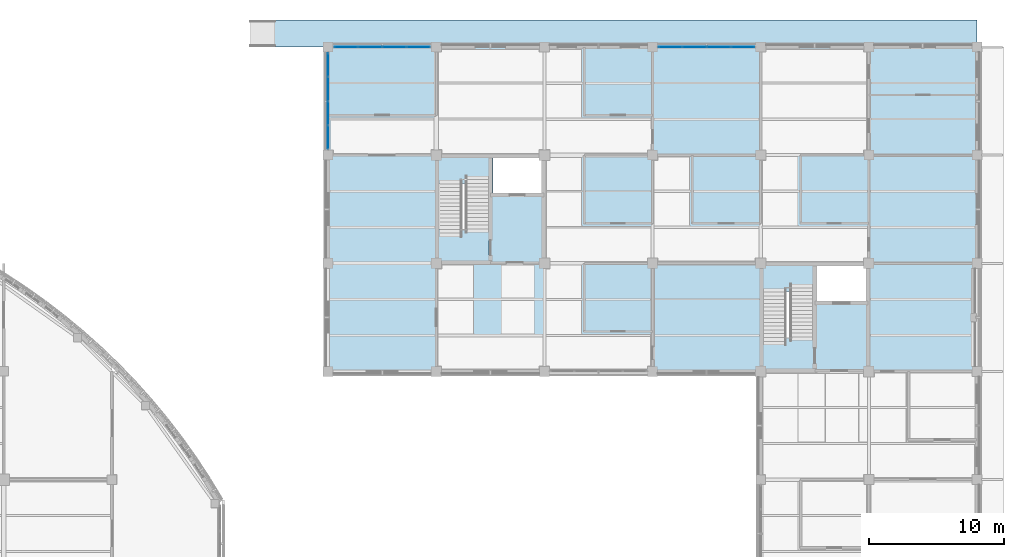
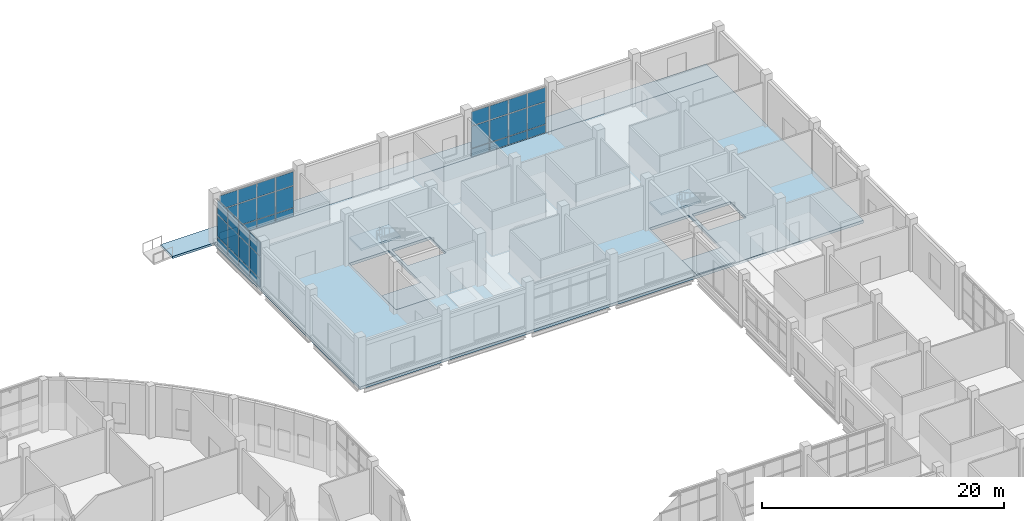
# One storey, part 57 of 105: 36 plates, 6 slabs, 5 elements without a shape of their own.
"""IFC4 building model written with IfcOpenShell, lengths in metres."""

from ifc_helpers import new_model, si_unit, derived_unit, direction, frame, origin, origin_2d, place, context, subcontext, project, spatial, polyline, rectangle, outline, extrude, material, layer, layer_set, type_object, element, aggregate, save


model = new_model("IFC4")

# Units and contexts
model_context = context("Model", 3, precision=1e-05, world=origin(), true_north=direction((0.0, 1.0)))
body_context = subcontext(model_context, "Body", "Model", "MODEL_VIEW")
ifc_project = project(units=[si_unit("LENGTHUNIT", "METRE"), si_unit("AREAUNIT", "SQUARE_METRE"), si_unit("VOLUMEUNIT", "CUBIC_METRE"), si_unit("PLANEANGLEUNIT", "RADIAN"), si_unit("MASSUNIT", "GRAM", prefix="KILO"), derived_unit("THERMALTRANSMITTANCEUNIT", [(si_unit("MASSUNIT", "GRAM", prefix="KILO"), 1), (si_unit("TIMEUNIT", "SECOND"), -3), (si_unit("THERMODYNAMICTEMPERATUREUNIT", "KELVIN"), -1)])], contexts=[model_context])

# Site, building, storey
site_placement = place(None, origin())
site = spatial("IfcSite", under=ifc_project, at=site_placement, CompositionType="ELEMENT")
building_placement = place(site_placement, origin())
building = spatial("IfcBuilding", under=site, at=building_placement, Name="Veyamyaing Civic Hall", CompositionType="ELEMENT")
storey_placement = place(building_placement, origin())
storey = spatial("IfcBuildingStorey", under=building, at=storey_placement, Name="L00", CompositionType="ELEMENT", Elevation=0.0)

# Curtain wall, plates
ifc_material_1 = material(Name="Anodised aluminium 6063-T6", Category="aluminium")
ifc_layer_1 = layer(ifc_material_1, 0.159912109375, Name="Anodised aluminium 6063-T6")
ifc_layer_set_1 = layer_set([ifc_layer_1], Name="Anodised aluminium 6063-T6")
curtain_wall_type = type_object("IfcCurtainWallType", Name="CW-01", PredefinedType="NOTDEFINED", material=ifc_layer_set_1)
curtain_wall_1_placement = place(storey_placement, origin())
curtain_wall_1 = element("IfcCurtainWall", 1, at=curtain_wall_1_placement, inside=storey, type_object=curtain_wall_type, Name="Unitized curtain wall CW-01 L00 N 17.14", PredefinedType="NOTDEFINED")
ifc_material_2 = material(Name="Low-E insulated glass", Category="glass")
ifc_layer_2 = layer(ifc_material_2, 0.028076171875, Name="Low-E insulated glass")
ifc_layer_set_2 = layer_set([ifc_layer_2], Name="Low-E insulated glass")
plate_type_1 = type_object("IfcPlateType", Name="CWP-01", PredefinedType="CURTAIN_PANEL", material=ifc_layer_set_2)
plate_1_placement = place(storey_placement, frame((129.320068359375, 112.0, 0.06494140625), z_axis=(0.0, 0.0, 1.0), x_axis=(1.0, 0.0, 0.0)))
plate_1 = element("IfcPlate", 2, at=plate_1_placement, type_object=plate_type_1, Name="CW-01 panel 1.1", PredefinedType="CURTAIN_PANEL", context=body_context, shape_type="SweptSolid", body=[
    extrude(rectangle(XDim=1.699951171875, YDim=0.028076171875, at=origin_2d()), origin(), (0.0, 0.0, 1.0), 0.802490234375),
])
plate_2_placement = place(storey_placement, frame((129.320068359375, 112.0, 0.9326171875), z_axis=(0.0, 0.0, 1.0), x_axis=(1.0, 0.0, 0.0)))
plate_2 = element("IfcPlate", 3, at=plate_2_placement, type_object=plate_type_1, Name="CW-01 panel 1.2", PredefinedType="CURTAIN_PANEL", context=body_context, shape_type="SweptSolid", body=[
    extrude(rectangle(XDim=1.699951171875, YDim=0.028076171875, at=origin_2d()), origin(), (0.0, 0.0, 1.0), 2.172607421875),
])
plate_3_placement = place(storey_placement, frame((129.320068359375, 112.0, 3.170166015625), z_axis=(0.0, 0.0, 1.0), x_axis=(1.0, 0.0, 0.0)))
plate_3 = element("IfcPlate", 4, at=plate_3_placement, type_object=plate_type_1, Name="CW-01 panel 1.3", PredefinedType="CURTAIN_PANEL", context=body_context, shape_type="SweptSolid", body=[
    extrude(rectangle(XDim=1.699951171875, YDim=0.028076171875, at=origin_2d()), origin(), (0.0, 0.0, 1.0), 1.37890625),
])
plate_4_placement = place(storey_placement, frame((131.101318359375, 112.0, 0.06494140625), z_axis=(0.0, 0.0, 1.0), x_axis=(1.0, 0.0, 0.0)))
plate_4 = element("IfcPlate", 5, at=plate_4_placement, type_object=plate_type_1, Name="CW-01 panel 2.1", PredefinedType="CURTAIN_PANEL", context=body_context, shape_type="SweptSolid", body=[
    extrude(rectangle(XDim=1.732421875, YDim=0.028076171875, at=origin_2d()), origin(), (0.0, 0.0, 1.0), 0.802490234375),
])
plate_5_placement = place(storey_placement, frame((131.101318359375, 112.0, 0.9326171875), z_axis=(0.0, 0.0, 1.0), x_axis=(1.0, 0.0, 0.0)))
plate_5 = element("IfcPlate", 6, at=plate_5_placement, type_object=plate_type_1, Name="CW-01 panel 2.2", PredefinedType="CURTAIN_PANEL", context=body_context, shape_type="SweptSolid", body=[
    extrude(rectangle(XDim=1.732421875, YDim=0.028076171875, at=origin_2d()), origin(), (0.0, 0.0, 1.0), 2.172607421875),
])
plate_6_placement = place(storey_placement, frame((131.101318359375, 112.0, 3.170166015625), z_axis=(0.0, 0.0, 1.0), x_axis=(1.0, 0.0, 0.0)))
plate_6 = element("IfcPlate", 7, at=plate_6_placement, type_object=plate_type_1, Name="CW-01 panel 2.3", PredefinedType="CURTAIN_PANEL", context=body_context, shape_type="SweptSolid", body=[
    extrude(rectangle(XDim=1.732421875, YDim=0.028076171875, at=origin_2d()), origin(), (0.0, 0.0, 1.0), 1.37890625),
])
plate_7_placement = place(storey_placement, frame((132.898681640625, 112.0, 0.06494140625), z_axis=(0.0, 0.0, 1.0), x_axis=(1.0, 0.0, 0.0)))
plate_7 = element("IfcPlate", 8, at=plate_7_placement, type_object=plate_type_1, Name="CW-01 panel 3.1", PredefinedType="CURTAIN_PANEL", context=body_context, shape_type="SweptSolid", body=[
    extrude(rectangle(XDim=1.732421875, YDim=0.028076171875, at=origin_2d()), origin(), (0.0, 0.0, 1.0), 0.802490234375),
])
plate_8_placement = place(storey_placement, frame((132.898681640625, 112.0, 0.9326171875), z_axis=(0.0, 0.0, 1.0), x_axis=(1.0, 0.0, 0.0)))
plate_8 = element("IfcPlate", 9, at=plate_8_placement, type_object=plate_type_1, Name="CW-01 panel 3.2", PredefinedType="CURTAIN_PANEL", context=body_context, shape_type="SweptSolid", body=[
    extrude(rectangle(XDim=1.732421875, YDim=0.028076171875, at=origin_2d()), origin(), (0.0, 0.0, 1.0), 2.172607421875),
])
plate_9_placement = place(storey_placement, frame((132.898681640625, 112.0, 3.170166015625), z_axis=(0.0, 0.0, 1.0), x_axis=(1.0, 0.0, 0.0)))
plate_9 = element("IfcPlate", 10, at=plate_9_placement, type_object=plate_type_1, Name="CW-01 panel 3.3", PredefinedType="CURTAIN_PANEL", context=body_context, shape_type="SweptSolid", body=[
    extrude(rectangle(XDim=1.732421875, YDim=0.028076171875, at=origin_2d()), origin(), (0.0, 0.0, 1.0), 1.37890625),
])
plate_10_placement = place(storey_placement, frame((134.679931640625, 112.0, 0.06494140625), z_axis=(0.0, 0.0, 1.0), x_axis=(1.0, 0.0, 0.0)))
plate_10 = element("IfcPlate", 11, at=plate_10_placement, type_object=plate_type_1, Name="CW-01 panel 4.1", PredefinedType="CURTAIN_PANEL", context=body_context, shape_type="SweptSolid", body=[
    extrude(rectangle(XDim=1.699951171875, YDim=0.028076171875, at=origin_2d()), origin(), (0.0, 0.0, 1.0), 0.802490234375),
])
plate_11_placement = place(storey_placement, frame((134.679931640625, 112.0, 0.9326171875), z_axis=(0.0, 0.0, 1.0), x_axis=(1.0, 0.0, 0.0)))
plate_11 = element("IfcPlate", 12, at=plate_11_placement, type_object=plate_type_1, Name="CW-01 panel 4.2", PredefinedType="CURTAIN_PANEL", context=body_context, shape_type="SweptSolid", body=[
    extrude(rectangle(XDim=1.699951171875, YDim=0.028076171875, at=origin_2d()), origin(), (0.0, 0.0, 1.0), 2.172607421875),
])
plate_12_placement = place(storey_placement, frame((134.679931640625, 112.0, 3.170166015625), z_axis=(0.0, 0.0, 1.0), x_axis=(1.0, 0.0, 0.0)))
plate_12 = element("IfcPlate", 13, at=plate_12_placement, type_object=plate_type_1, Name="CW-01 panel 4.3", PredefinedType="CURTAIN_PANEL", context=body_context, shape_type="SweptSolid", body=[
    extrude(rectangle(XDim=1.699951171875, YDim=0.028076171875, at=origin_2d()), origin(), (0.0, 0.0, 1.0), 1.37890625),
])
aggregate(curtain_wall_1, [plate_1, plate_2, plate_3, plate_4, plate_5, plate_6, plate_7, plate_8, plate_9, plate_10, plate_11, plate_12])

curtain_wall_2_placement = place(storey_placement, origin())
curtain_wall_2 = element("IfcCurtainWall", 14, at=curtain_wall_2_placement, inside=storey, type_object=curtain_wall_type, Name="Unitized curtain wall CW-01 L00 W 17.14", PredefinedType="NOTDEFINED")
plate_13_placement = place(storey_placement, frame((128.0, 105.320068359375, 0.06494140625), z_axis=(0.0, 0.0, 1.0), x_axis=(0.0, 1.0, 0.0)))
plate_13 = element("IfcPlate", 15, at=plate_13_placement, type_object=plate_type_1, Name="CW-01 panel 1.1", PredefinedType="CURTAIN_PANEL", context=body_context, shape_type="SweptSolid", body=[
    extrude(rectangle(XDim=1.699951171875, YDim=0.028076171875, at=origin_2d()), origin(), (0.0, 0.0, 1.0), 0.802490234375),
])
plate_14_placement = place(storey_placement, frame((128.0, 105.320068359375, 0.932373046875), z_axis=(0.0, 0.0, 1.0), x_axis=(0.0, 1.0, 0.0)))
plate_14 = element("IfcPlate", 16, at=plate_14_placement, type_object=plate_type_1, Name="CW-01 panel 1.2", PredefinedType="CURTAIN_PANEL", context=body_context, shape_type="SweptSolid", body=[
    extrude(rectangle(XDim=1.699951171875, YDim=0.028076171875, at=origin_2d()), origin(), (0.0, 0.0, 1.0), 2.21337890625),
])
plate_15_placement = place(storey_placement, frame((128.0, 105.320068359375, 3.2109375), z_axis=(0.0, 0.0, 1.0), x_axis=(0.0, 1.0, 0.0)))
plate_15 = element("IfcPlate", 17, at=plate_15_placement, type_object=plate_type_1, Name="CW-01 panel 1.3", PredefinedType="CURTAIN_PANEL", context=body_context, shape_type="SweptSolid", body=[
    extrude(rectangle(XDim=1.699951171875, YDim=0.028076171875, at=origin_2d()), origin(), (0.0, 0.0, 1.0), 1.398193359375),
])
plate_16_placement = place(storey_placement, frame((128.0, 107.101318359375, 0.06494140625), z_axis=(0.0, 0.0, 1.0), x_axis=(0.0, 1.0, 0.0)))
plate_16 = element("IfcPlate", 18, at=plate_16_placement, type_object=plate_type_1, Name="CW-01 panel 2.1", PredefinedType="CURTAIN_PANEL", context=body_context, shape_type="SweptSolid", body=[
    extrude(rectangle(XDim=1.732421875, YDim=0.028076171875, at=origin_2d()), origin(), (0.0, 0.0, 1.0), 0.802490234375),
])
plate_17_placement = place(storey_placement, frame((128.0, 107.101318359375, 0.932373046875), z_axis=(0.0, 0.0, 1.0), x_axis=(0.0, 1.0, 0.0)))
plate_17 = element("IfcPlate", 19, at=plate_17_placement, type_object=plate_type_1, Name="CW-01 panel 2.2", PredefinedType="CURTAIN_PANEL", context=body_context, shape_type="SweptSolid", body=[
    extrude(rectangle(XDim=1.732421875, YDim=0.028076171875, at=origin_2d()), origin(), (0.0, 0.0, 1.0), 2.21337890625),
])
plate_18_placement = place(storey_placement, frame((128.0, 107.101318359375, 3.2109375), z_axis=(0.0, 0.0, 1.0), x_axis=(0.0, 1.0, 0.0)))
plate_18 = element("IfcPlate", 20, at=plate_18_placement, type_object=plate_type_1, Name="CW-01 panel 2.3", PredefinedType="CURTAIN_PANEL", context=body_context, shape_type="SweptSolid", body=[
    extrude(rectangle(XDim=1.732421875, YDim=0.028076171875, at=origin_2d()), origin(), (0.0, 0.0, 1.0), 1.398193359375),
])
plate_19_placement = place(storey_placement, frame((128.0, 108.898681640625, 0.06494140625), z_axis=(0.0, 0.0, 1.0), x_axis=(0.0, 1.0, 0.0)))
plate_19 = element("IfcPlate", 21, at=plate_19_placement, type_object=plate_type_1, Name="CW-01 panel 3.1", PredefinedType="CURTAIN_PANEL", context=body_context, shape_type="SweptSolid", body=[
    extrude(rectangle(XDim=1.732421875, YDim=0.028076171875, at=origin_2d()), origin(), (0.0, 0.0, 1.0), 0.802490234375),
])
plate_20_placement = place(storey_placement, frame((128.0, 108.898681640625, 0.932373046875), z_axis=(0.0, 0.0, 1.0), x_axis=(0.0, 1.0, 0.0)))
plate_20 = element("IfcPlate", 22, at=plate_20_placement, type_object=plate_type_1, Name="CW-01 panel 3.2", PredefinedType="CURTAIN_PANEL", context=body_context, shape_type="SweptSolid", body=[
    extrude(rectangle(XDim=1.732421875, YDim=0.028076171875, at=origin_2d()), origin(), (0.0, 0.0, 1.0), 2.21337890625),
])
plate_21_placement = place(storey_placement, frame((128.0, 108.898681640625, 3.2109375), z_axis=(0.0, 0.0, 1.0), x_axis=(0.0, 1.0, 0.0)))
plate_21 = element("IfcPlate", 23, at=plate_21_placement, type_object=plate_type_1, Name="CW-01 panel 3.3", PredefinedType="CURTAIN_PANEL", context=body_context, shape_type="SweptSolid", body=[
    extrude(rectangle(XDim=1.732421875, YDim=0.028076171875, at=origin_2d()), origin(), (0.0, 0.0, 1.0), 1.398193359375),
])
plate_22_placement = place(storey_placement, frame((128.0, 110.679931640625, 0.06494140625), z_axis=(0.0, 0.0, 1.0), x_axis=(0.0, 1.0, 0.0)))
plate_22 = element("IfcPlate", 24, at=plate_22_placement, type_object=plate_type_1, Name="CW-01 panel 4.1", PredefinedType="CURTAIN_PANEL", context=body_context, shape_type="SweptSolid", body=[
    extrude(rectangle(XDim=1.699951171875, YDim=0.028076171875, at=origin_2d()), origin(), (0.0, 0.0, 1.0), 0.802490234375),
])
plate_23_placement = place(storey_placement, frame((128.0, 110.679931640625, 0.932373046875), z_axis=(0.0, 0.0, 1.0), x_axis=(0.0, 1.0, 0.0)))
plate_23 = element("IfcPlate", 25, at=plate_23_placement, type_object=plate_type_1, Name="CW-01 panel 4.2", PredefinedType="CURTAIN_PANEL", context=body_context, shape_type="SweptSolid", body=[
    extrude(rectangle(XDim=1.699951171875, YDim=0.028076171875, at=origin_2d()), origin(), (0.0, 0.0, 1.0), 2.21337890625),
])
plate_24_placement = place(storey_placement, frame((128.0, 110.679931640625, 3.2109375), z_axis=(0.0, 0.0, 1.0), x_axis=(0.0, 1.0, 0.0)))
plate_24 = element("IfcPlate", 26, at=plate_24_placement, type_object=plate_type_1, Name="CW-01 panel 4.3", PredefinedType="CURTAIN_PANEL", context=body_context, shape_type="SweptSolid", body=[
    extrude(rectangle(XDim=1.699951171875, YDim=0.028076171875, at=origin_2d()), origin(), (0.0, 0.0, 1.0), 1.398193359375),
])
aggregate(curtain_wall_2, [plate_13, plate_14, plate_15, plate_16, plate_17, plate_18, plate_19, plate_20, plate_21, plate_22, plate_23, plate_24])

curtain_wall_3_placement = place(storey_placement, origin())
curtain_wall_3 = element("IfcCurtainWall", 27, at=curtain_wall_3_placement, inside=storey, type_object=curtain_wall_type, Name="Unitized curtain wall CW-01 L00 N 20.14", PredefinedType="NOTDEFINED")
ifc_layer_3 = layer(ifc_material_2, 0.02392578125, Name="Low-E insulated glass")
ifc_layer_set_3 = layer_set([ifc_layer_3], Name="Low-E insulated glass")
plate_type_2 = type_object("IfcPlateType", Name="CWP-04", PredefinedType="CURTAIN_PANEL", material=ifc_layer_set_3)
plate_25_placement = place(storey_placement, frame((153.320068359375, 112.0, 0.06494140625), z_axis=(0.0, 0.0, 1.0), x_axis=(1.0, 0.0, 0.0)))
plate_25 = element("IfcPlate", 28, at=plate_25_placement, type_object=plate_type_2, Name="CW-01 panel 1.1", PredefinedType="CURTAIN_PANEL", context=body_context, shape_type="SweptSolid", body=[
    extrude(rectangle(XDim=1.699951171875, YDim=0.02392578125, at=origin_2d()), origin(), (0.0, 0.0, 1.0), 0.802490234375),
])
plate_26_placement = place(storey_placement, frame((153.320068359375, 112.0, 0.932373046875), z_axis=(0.0, 0.0, 1.0), x_axis=(1.0, 0.0, 0.0)))
plate_26 = element("IfcPlate", 29, at=plate_26_placement, type_object=plate_type_2, Name="CW-01 panel 1.2", PredefinedType="CURTAIN_PANEL", context=body_context, shape_type="SweptSolid", body=[
    extrude(rectangle(XDim=1.699951171875, YDim=0.02392578125, at=origin_2d()), origin(), (0.0, 0.0, 1.0), 2.21337890625),
])
plate_27_placement = place(storey_placement, frame((153.320068359375, 112.0, 3.2109375), z_axis=(0.0, 0.0, 1.0), x_axis=(1.0, 0.0, 0.0)))
plate_27 = element("IfcPlate", 30, at=plate_27_placement, type_object=plate_type_2, Name="CW-01 panel 1.3", PredefinedType="CURTAIN_PANEL", context=body_context, shape_type="SweptSolid", body=[
    extrude(rectangle(XDim=1.699951171875, YDim=0.02392578125, at=origin_2d()), origin(), (0.0, 0.0, 1.0), 1.398193359375),
])
plate_28_placement = place(storey_placement, frame((155.101318359375, 112.0, 0.06494140625), z_axis=(0.0, 0.0, 1.0), x_axis=(1.0, 0.0, 0.0)))
plate_28 = element("IfcPlate", 31, at=plate_28_placement, type_object=plate_type_2, Name="CW-01 panel 2.1", PredefinedType="CURTAIN_PANEL", context=body_context, shape_type="SweptSolid", body=[
    extrude(rectangle(XDim=1.732421875, YDim=0.02392578125, at=origin_2d()), origin(), (0.0, 0.0, 1.0), 0.802490234375),
])
plate_29_placement = place(storey_placement, frame((155.101318359375, 112.0, 0.932373046875), z_axis=(0.0, 0.0, 1.0), x_axis=(1.0, 0.0, 0.0)))
plate_29 = element("IfcPlate", 32, at=plate_29_placement, type_object=plate_type_2, Name="CW-01 panel 2.2", PredefinedType="CURTAIN_PANEL", context=body_context, shape_type="SweptSolid", body=[
    extrude(rectangle(XDim=1.732421875, YDim=0.02392578125, at=origin_2d()), origin(), (0.0, 0.0, 1.0), 2.21337890625),
])
plate_30_placement = place(storey_placement, frame((155.101318359375, 112.0, 3.2109375), z_axis=(0.0, 0.0, 1.0), x_axis=(1.0, 0.0, 0.0)))
plate_30 = element("IfcPlate", 33, at=plate_30_placement, type_object=plate_type_2, Name="CW-01 panel 2.3", PredefinedType="CURTAIN_PANEL", context=body_context, shape_type="SweptSolid", body=[
    extrude(rectangle(XDim=1.732421875, YDim=0.02392578125, at=origin_2d()), origin(), (0.0, 0.0, 1.0), 1.398193359375),
])
plate_31_placement = place(storey_placement, frame((156.898681640625, 112.0, 0.06494140625), z_axis=(0.0, 0.0, 1.0), x_axis=(1.0, 0.0, 0.0)))
plate_31 = element("IfcPlate", 34, at=plate_31_placement, type_object=plate_type_2, Name="CW-01 panel 3.1", PredefinedType="CURTAIN_PANEL", context=body_context, shape_type="SweptSolid", body=[
    extrude(rectangle(XDim=1.732421875, YDim=0.02392578125, at=origin_2d()), origin(), (0.0, 0.0, 1.0), 0.802490234375),
])
plate_32_placement = place(storey_placement, frame((156.898681640625, 112.0, 0.932373046875), z_axis=(0.0, 0.0, 1.0), x_axis=(1.0, 0.0, 0.0)))
plate_32 = element("IfcPlate", 35, at=plate_32_placement, type_object=plate_type_2, Name="CW-01 panel 3.2", PredefinedType="CURTAIN_PANEL", context=body_context, shape_type="SweptSolid", body=[
    extrude(rectangle(XDim=1.732421875, YDim=0.02392578125, at=origin_2d()), origin(), (0.0, 0.0, 1.0), 2.21337890625),
])
plate_33_placement = place(storey_placement, frame((156.898681640625, 112.0, 3.2109375), z_axis=(0.0, 0.0, 1.0), x_axis=(1.0, 0.0, 0.0)))
plate_33 = element("IfcPlate", 36, at=plate_33_placement, type_object=plate_type_2, Name="CW-01 panel 3.3", PredefinedType="CURTAIN_PANEL", context=body_context, shape_type="SweptSolid", body=[
    extrude(rectangle(XDim=1.732421875, YDim=0.02392578125, at=origin_2d()), origin(), (0.0, 0.0, 1.0), 1.398193359375),
])
plate_34_placement = place(storey_placement, frame((158.679931640625, 112.0, 0.06494140625), z_axis=(0.0, 0.0, 1.0), x_axis=(1.0, 0.0, 0.0)))
plate_34 = element("IfcPlate", 37, at=plate_34_placement, type_object=plate_type_2, Name="CW-01 panel 4.1", PredefinedType="CURTAIN_PANEL", context=body_context, shape_type="SweptSolid", body=[
    extrude(rectangle(XDim=1.699951171875, YDim=0.02392578125, at=origin_2d()), origin(), (0.0, 0.0, 1.0), 0.802490234375),
])
plate_35_placement = place(storey_placement, frame((158.679931640625, 112.0, 0.932373046875), z_axis=(0.0, 0.0, 1.0), x_axis=(1.0, 0.0, 0.0)))
plate_35 = element("IfcPlate", 38, at=plate_35_placement, type_object=plate_type_2, Name="CW-01 panel 4.2", PredefinedType="CURTAIN_PANEL", context=body_context, shape_type="SweptSolid", body=[
    extrude(rectangle(XDim=1.699951171875, YDim=0.02392578125, at=origin_2d()), origin(), (0.0, 0.0, 1.0), 2.21337890625),
])
plate_36_placement = place(storey_placement, frame((158.679931640625, 112.0, 3.2109375), z_axis=(0.0, 0.0, 1.0), x_axis=(1.0, 0.0, 0.0)))
plate_36 = element("IfcPlate", 39, at=plate_36_placement, type_object=plate_type_2, Name="CW-01 panel 4.3", PredefinedType="CURTAIN_PANEL", context=body_context, shape_type="SweptSolid", body=[
    extrude(rectangle(XDim=1.699951171875, YDim=0.02392578125, at=origin_2d()), origin(), (0.0, 0.0, 1.0), 1.398193359375),
])
aggregate(curtain_wall_3, [plate_25, plate_26, plate_27, plate_28, plate_29, plate_30, plate_31, plate_32, plate_33, plate_34, plate_35, plate_36])

# Slabs
ifc_material_3 = material(Name="Concrete C40/50", Category="concrete")
ifc_layer_4 = layer(ifc_material_3, 0.219970703125, Name="Concrete C40/50")
ifc_layer_set_4 = layer_set([ifc_layer_4], Name="Concrete C40/50")
slab_type_1 = type_object("IfcSlabType", Name="SL-09", PredefinedType="FLOOR", material=ifc_layer_set_4)
slab_1_placement = place(storey_placement, frame((0.0, 0.0, -0.219970703125)))
element("IfcSlab", 40, at=slab_1_placement, inside=storey, type_object=slab_type_1, Name="Colonnade deck slab SL-09 NORTH-E", PredefinedType="FLOOR", context=body_context, shape_type="SweptSolid", body=[
    extrude(outline(polyline([(176.0, 112.0), (176.0, 114.0), (124.0, 114.0), (124.0, 112.0), (176.0, 112.0)])), origin(), (0.0, 0.0, 1.0), 0.219970703125),
])
ifc_layer_5 = layer(ifc_material_3, 0.27490234375, Name="Concrete C40/50")
ifc_layer_set_5 = layer_set([ifc_layer_5], Name="Concrete C40/50")
slab_type_2 = type_object("IfcSlabType", Name="SL-14", PredefinedType="FLOOR", material=ifc_layer_set_5)
slab_2_placement = place(storey_placement, frame((0.0, 0.0, -0.27490234375)))
element("IfcSlab", 41, at=slab_2_placement, inside=storey, type_object=slab_type_2, Name="Floor slab SL-14 L00 V4NE.1", PredefinedType="FLOOR", context=body_context, shape_type="SweptSolid", body=[
    extrude(outline(polyline([(128.0, 112.0), (176.0, 112.0), (176.0, 88.0), (128.0, 88.0), (128.0, 112.0)]), holes=[polyline([(163.909912109375, 95.860107421875), (160.139892578125, 95.860107421875), (160.139892578125, 88.139892578125), (163.909912109375, 88.139892578125), (163.909912109375, 95.860107421875)]), polyline([(167.820068359375, 95.820068359375), (164.179931640625, 95.820068359375), (164.179931640625, 93.179931640625), (167.820068359375, 93.179931640625), (167.820068359375, 95.820068359375)]), polyline([(139.909912109375, 103.860107421875), (136.139892578125, 103.860107421875), (136.139892578125, 96.139892578125), (139.909912109375, 96.139892578125), (139.909912109375, 103.860107421875)]), polyline([(143.820068359375, 103.820068359375), (140.179931640625, 103.820068359375), (140.179931640625, 101.179931640625), (143.820068359375, 101.179931640625), (143.820068359375, 103.820068359375)])]), origin(), (0.0, 0.0, 1.0), 0.27490234375),
])
ifc_layer_6 = layer(ifc_material_3, 0.199951171875, Name="Concrete C40/50")
ifc_layer_set_6 = layer_set([ifc_layer_6], Name="Concrete C40/50")
slab_type_3 = type_object("IfcSlabType", Name="SL-16", PredefinedType="FLOOR", material=ifc_layer_set_6)
slab_3_placement = place(storey_placement, frame((0.0, 0.0, -0.199951171875)))
element("IfcSlab", 42, at=slab_3_placement, inside=storey, type_object=slab_type_3, Name="Stair floor landing slab SL-16 ST-03 L00", PredefinedType="FLOOR", context=body_context, shape_type="SweptSolid", body=[
    extrude(outline(polyline([(160.139892578125, 88.139892578125), (163.909912109375, 88.139892578125), (163.909912109375, 90.52001953125), (160.139892578125, 90.52001953125), (160.139892578125, 88.139892578125)])), origin(), (0.0, 0.0, 1.0), 0.199951171875),
])
slab_4_placement = place(storey_placement, frame((0.0, 0.0, -0.199951171875)))
element("IfcSlab", 43, at=slab_4_placement, inside=storey, type_object=slab_type_3, Name="Stair floor landing slab SL-16 ST-04 L00", PredefinedType="FLOOR", context=body_context, shape_type="SweptSolid", body=[
    extrude(outline(polyline([(136.139892578125, 96.139892578125), (139.909912109375, 96.139892578125), (139.909912109375, 98.52001953125), (136.139892578125, 98.52001953125), (136.139892578125, 96.139892578125)])), origin(), (0.0, 0.0, 1.0), 0.199951171875),
])

# Stair, slab
stair_type = type_object("IfcStairType", Name="ST-B", PredefinedType="HALF_TURN_STAIR", material=ifc_material_3)
stair_1_placement = place(storey_placement, origin())
stair_1 = element("IfcStair", 44, at=stair_1_placement, inside=storey, type_object=stair_type, Name="Protected exit stair ST-03 L00", PredefinedType="HALF_TURN_STAIR")
ifc_layer_7 = layer(ifc_material_3, 0.195068359375, Name="Concrete C40/50")
ifc_layer_set_7 = layer_set([ifc_layer_7], Name="Concrete C40/50")
slab_type_4 = type_object("IfcSlabType", Name="SL-LND", PredefinedType="LANDING", material=ifc_layer_set_7)
slab_5_placement = place(storey_placement, frame((0.0, 0.0, 2.445068359375)))
slab_5 = element("IfcSlab", 45, at=slab_5_placement, type_object=slab_type_4, Name="ST-03 landing 1", PredefinedType="LANDING", context=body_context, shape_type="SweptSolid", body=[
    extrude(outline(polyline([(160.139892578125, 93.909912109375), (163.909912109375, 93.909912109375), (163.909912109375, 95.860107421875), (160.139892578125, 95.860107421875), (160.139892578125, 93.909912109375)])), origin(), (0.0, 0.0, 1.0), 0.19482421875),
])
aggregate(stair_1, [slab_5])

stair_2_placement = place(storey_placement, origin())
stair_2 = element("IfcStair", 46, at=stair_2_placement, inside=storey, type_object=stair_type, Name="Protected exit stair ST-04 L00", PredefinedType="HALF_TURN_STAIR")
slab_6_placement = place(storey_placement, frame((0.0, 0.0, 2.445068359375)))
slab_6 = element("IfcSlab", 47, at=slab_6_placement, type_object=slab_type_4, Name="ST-04 landing 1", PredefinedType="LANDING", context=body_context, shape_type="SweptSolid", body=[
    extrude(outline(polyline([(136.139892578125, 101.909912109375), (139.909912109375, 101.909912109375), (139.909912109375, 103.860107421875), (136.139892578125, 103.860107421875), (136.139892578125, 101.909912109375)])), origin(), (0.0, 0.0, 1.0), 0.19482421875),
])
aggregate(stair_2, [slab_6])

save(model, "model.ifc")
